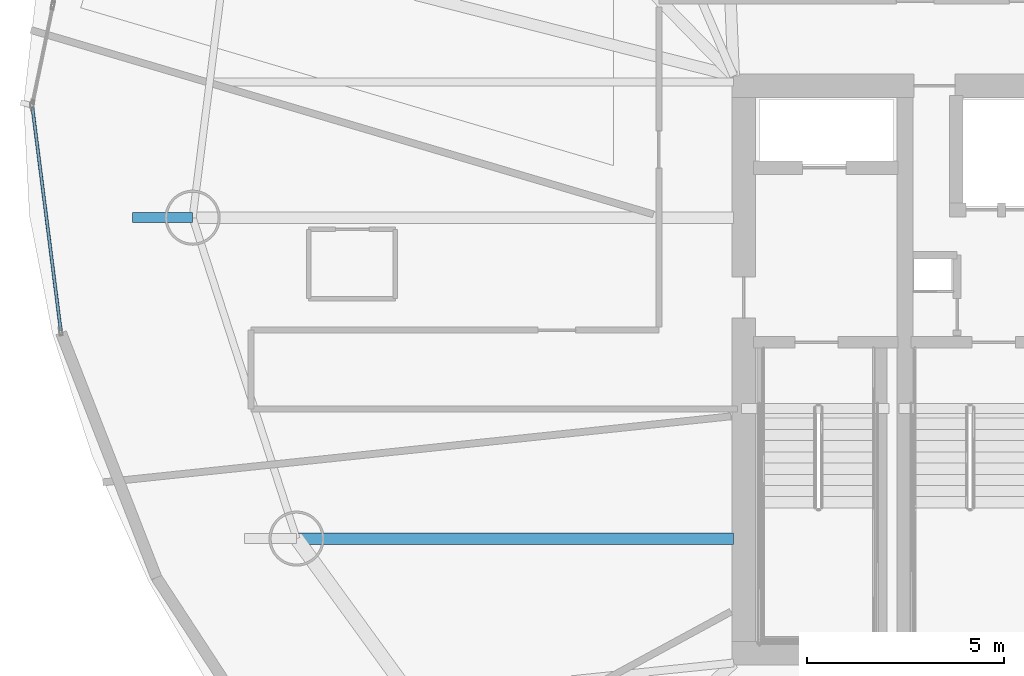
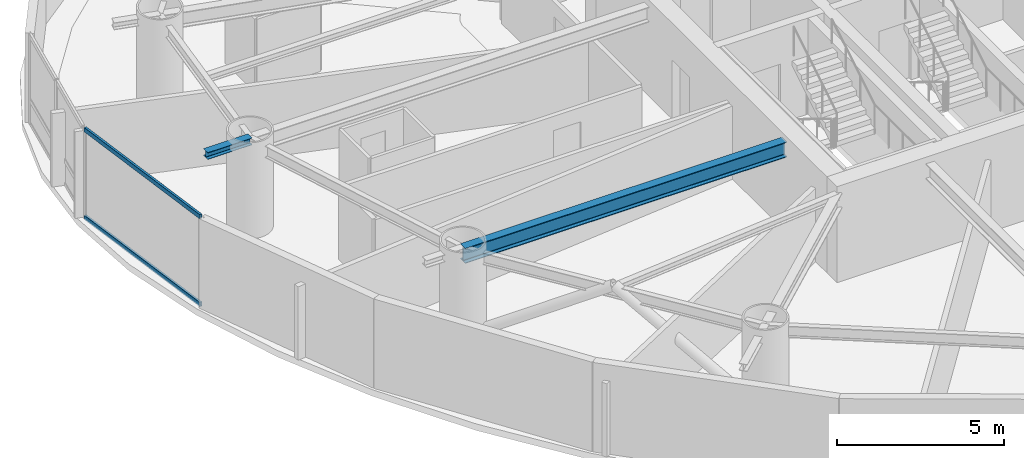
# One storey, part 5 of 26: 2 beams, 2 members, 1 element without a shape of its own.
"""IFC4 building model written with IfcOpenShell, lengths in metres."""

from ifc_helpers import new_model, si_unit, direction, frame, origin, origin_2d, place, context, subcontext, project, spatial, hollow_rectangle, i_section, extrude, material, layer, layer_set, material_profile, profile_set, type_object, element, aggregate, save


model = new_model("IFC4")

# Units and contexts
model_context = context("Model", 3, precision=1e-05, world=origin(), true_north=direction((0.0, 1.0)))
body_context = subcontext(model_context, "Body", "Model", "MODEL_VIEW")
ifc_project = project(units=[si_unit("LENGTHUNIT", "METRE"), si_unit("AREAUNIT", "SQUARE_METRE"), si_unit("VOLUMEUNIT", "CUBIC_METRE"), si_unit("PLANEANGLEUNIT", "RADIAN"), si_unit("MASSUNIT", "GRAM", prefix="KILO")], contexts=[model_context])

# Site, building, storey
site_placement = place(None, origin())
site = spatial("IfcSite", under=ifc_project, at=site_placement, CompositionType="ELEMENT")
building_placement = place(site_placement, origin())
building = spatial("IfcBuilding", under=site, at=building_placement, Name="Bramvorn Convention Spire", CompositionType="ELEMENT")
storey_placement = place(building_placement, frame((0.0, 0.0, 123.800048828125)))
storey = spatial("IfcBuildingStorey", under=building, at=storey_placement, Name="L30", CompositionType="ELEMENT", Elevation=123.800048828125)

# Beams
ifc_material_1 = material(Name="Steel CSA G40.21 Grade 350 (350W)", Category="steel")
ifc_material_profile_1 = material_profile(ifc_material_1, i_section(OverallWidth=0.25390625, OverallDepth=0.2529296875, WebThickness=0.008544921875, FlangeThickness=0.01416015625, FilletRadius=0.011962890625, at=origin_2d()))
ifc_profile_set_1 = profile_set([ifc_material_profile_1], Name="Steel CSA G40.21 Grade 350 (350W) - W250X73")
beam_type_1 = type_object("IfcBeamType", Name="BM-W250X73", PredefinedType="BEAM", material=ifc_profile_set_1)
beam_1_placement = place(storey_placement, frame((13.016357421875, 29.851806640625, 3.133544921875), z_axis=(-1.0, 0.0, 0.0), x_axis=(0.0, -1.0, 0.0)))
element("IfcBeam", 1, at=beam_1_placement, inside=storey, type_object=beam_type_1, Name="L30 slab-edge cantilever tip beam MC10", PredefinedType="BEAM", context=body_context, shape_type="SweptSolid", body=[
    extrude(i_section(OverallWidth=0.25390625, OverallDepth=0.2529296875, WebThickness=0.008544921875, FlangeThickness=0.01416015625, FilletRadius=0.011962890625, at=origin_2d()), origin(), (0.0, 0.0, 1.0), 1.530029296875),
])
ifc_material_profile_2 = material_profile(ifc_material_1, i_section(OverallWidth=0.2919921875, OverallDepth=0.551025390625, WebThickness=0.01513671875, FlangeThickness=0.0244140625, FilletRadius=0.01904296875, at=origin_2d()))
ifc_profile_set_2 = profile_set([ifc_material_profile_2], Name="Steel CSA G40.21 Grade 350 (350W) - W530X182")
beam_type_2 = type_object("IfcBeamType", Name="BM-W530X182", PredefinedType="BEAM", material=ifc_profile_set_2)
beam_2_placement = place(storey_placement, frame((26.75, 21.706787109375, 2.984375), z_axis=(-1.0, 0.0, 0.0), x_axis=(0.0, -1.0, 0.0)))
element("IfcBeam", 2, at=beam_2_placement, inside=storey, type_object=beam_type_2, Name="L30 radial floor girder MC11", PredefinedType="BEAM", context=body_context, shape_type="SweptSolid", body=[
    extrude(i_section(OverallWidth=0.2919921875, OverallDepth=0.551025390625, WebThickness=0.01513671875, FlangeThickness=0.0244140625, FilletRadius=0.01904296875, at=origin_2d()), origin(), (0.0, 0.0, 1.0), 11.095703125),
])

# Curtain wall, members
ifc_material_2 = material(Name="Anodised Bronze Unitised Curtain Wall", Category="aluminium")
ifc_layer = layer(ifc_material_2, 0.179931640625)
ifc_layer_set = layer_set([ifc_layer], Name="Anodised Bronze Unitised Curtain Wall - CW-HTL-FRIT")
curtain_wall_type = type_object("IfcCurtainWallType", Name="CW-HTL-FRIT", PredefinedType="USERDEFINED", material=ifc_layer_set)
curtain_wall_placement = place(storey_placement, origin())
curtain_wall = element("IfcCurtainWall", 3, at=curtain_wall_placement, inside=storey, type_object=curtain_wall_type, Name="L30 fritted glass curtain wall 14", ObjectType="UNITISED CURTAIN WALL", PredefinedType="USERDEFINED")
ifc_material_3 = material(Name="Anodised Bronze Aluminium 6063-T6", Category="aluminium")
ifc_material_profile_3 = material_profile(ifc_material_3, hollow_rectangle(XDim=0.080078125, YDim=0.159912109375, WallThickness=0.00390625, InnerFilletRadius=0.0009765625, OuterFilletRadius=0.00390625, at=origin_2d()))
ifc_profile_set_3 = profile_set([ifc_material_profile_3], Name="Anodised Bronze Aluminium 6063-T6 - CWT80X160")
member_type = type_object("IfcMemberType", Name="CW-TRN-150", PredefinedType="USERDEFINED", material=ifc_profile_set_3)
member_1_placement = place(storey_placement, frame((9.669189453125, 26.989501953125, 0.030029296875), z_axis=(-0.126078868926, 0.992020220968, 0.0), x_axis=(-0.992020220968, -0.126078868926, 0.0)))
member_1 = element("IfcMember", 4, at=member_1_placement, type_object=member_type, Name="CW2 transom 1.1", ObjectType="TRANSOM", PredefinedType="USERDEFINED", context=body_context, shape_type="SweptSolid", body=[
    extrude(hollow_rectangle(XDim=0.080078125, YDim=0.159912109375, WallThickness=0.00390625, InnerFilletRadius=0.0009765625, OuterFilletRadius=0.00390625, at=origin_2d()), origin(), (0.0, 0.0, 1.0), 5.70263671875),
])
member_2_placement = place(storey_placement, frame((9.669189453125, 26.989501953125, 3.22998046875), z_axis=(-0.126078868926, 0.992020220968, 0.0), x_axis=(-0.992020220968, -0.126078868926, 0.0)))
member_2 = element("IfcMember", 5, at=member_2_placement, type_object=member_type, Name="CW2 transom 1.2", ObjectType="TRANSOM", PredefinedType="USERDEFINED", context=body_context, shape_type="SweptSolid", body=[
    extrude(hollow_rectangle(XDim=0.080078125, YDim=0.159912109375, WallThickness=0.00390625, InnerFilletRadius=0.0009765625, OuterFilletRadius=0.00390625, at=origin_2d()), origin(), (0.0, 0.0, 1.0), 5.70263671875),
])
aggregate(curtain_wall, [member_1, member_2])

save(model, "model.ifc")
